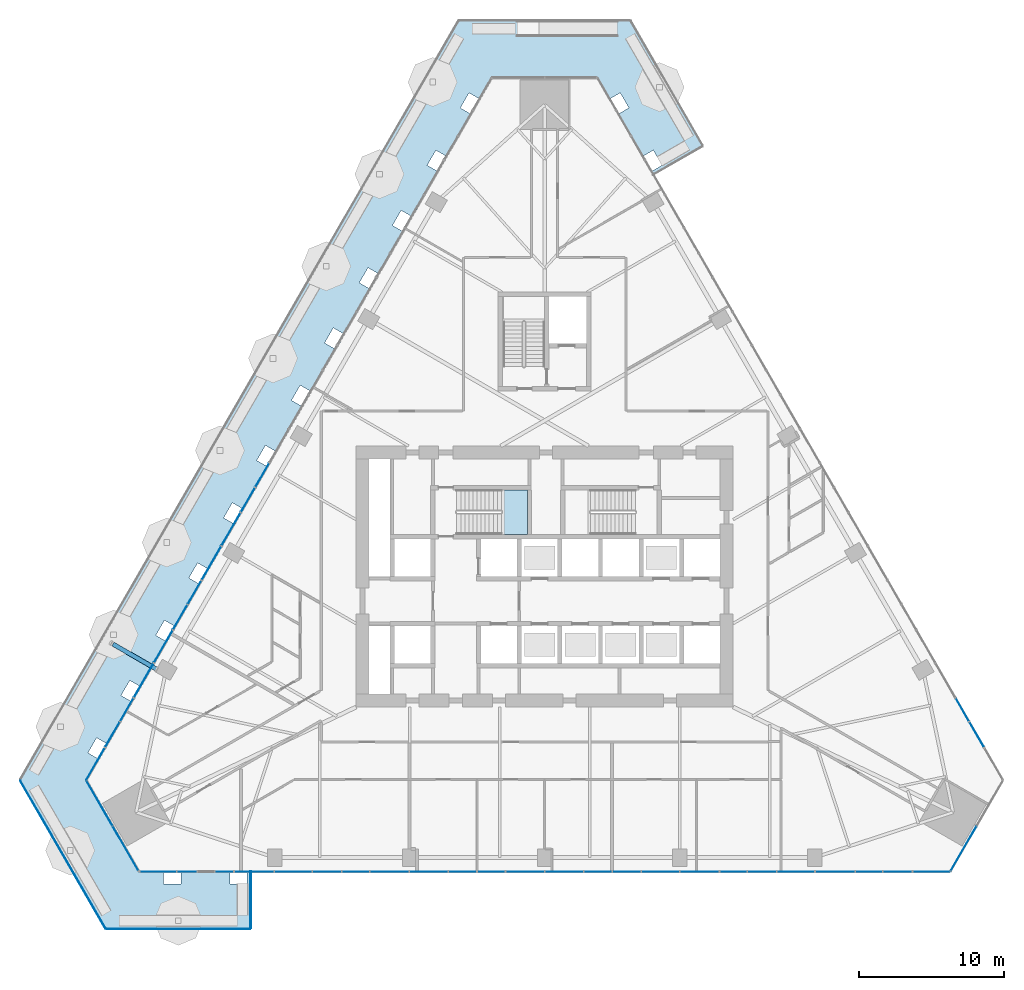
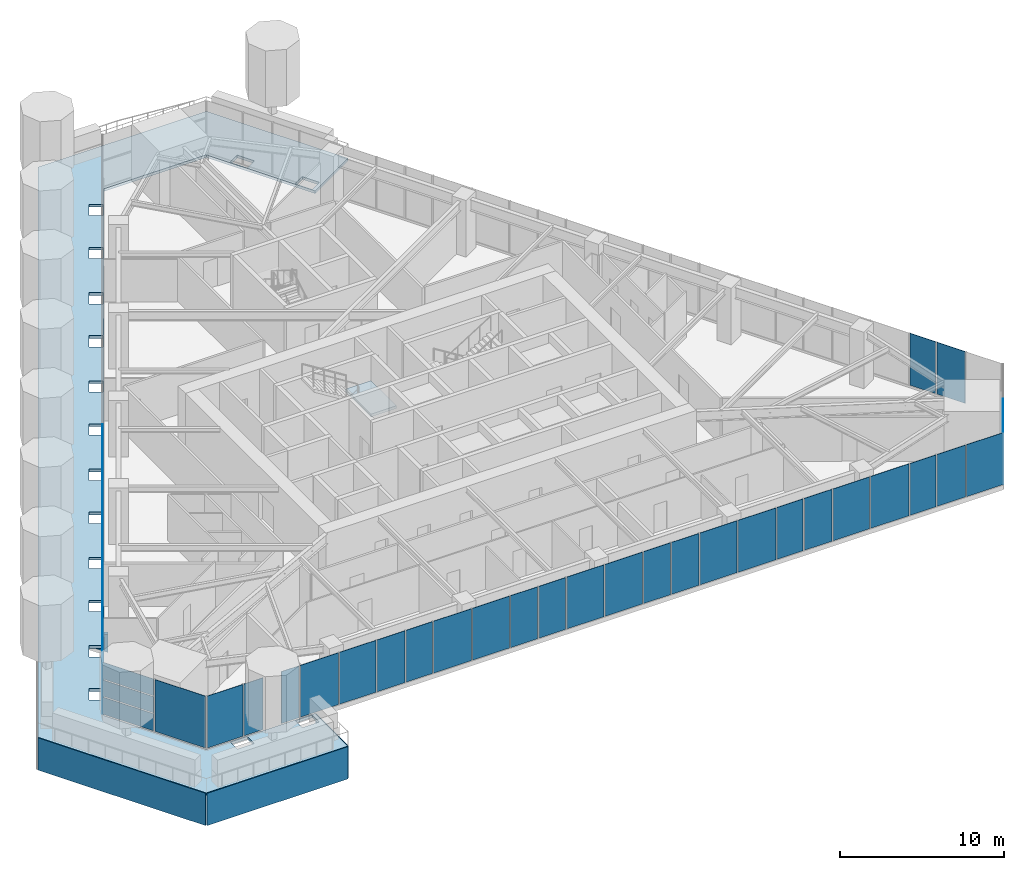
# One storey, part 14 of 25: 47 plates, 2 slabs, 6 elements without a shape of their own.
"""IFC4 building model written with IfcOpenShell, lengths in metres."""

from ifc_helpers import new_model, si_unit, direction, frame, origin, place, context, subcontext, project, spatial, polyline, outline, extrude, material, layer, layer_set, type_object, element, aggregate, save


model = new_model("IFC4")

# Units and contexts
model_context = context("Model", 3, precision=1e-05, world=origin(), true_north=direction((0.0, 1.0)))
body_context = subcontext(model_context, "Body", "Model", "MODEL_VIEW")
ifc_project = project(units=[si_unit("LENGTHUNIT", "METRE"), si_unit("AREAUNIT", "SQUARE_METRE"), si_unit("VOLUMEUNIT", "CUBIC_METRE"), si_unit("PLANEANGLEUNIT", "RADIAN"), si_unit("MASSUNIT", "GRAM", prefix="KILO")], contexts=[model_context])

# Site, building, storey
site_placement = place(None, origin())
site = spatial("IfcSite", under=ifc_project, at=site_placement, CompositionType="ELEMENT")
building_placement = place(site_placement, origin())
building = spatial("IfcBuilding", under=site, at=building_placement, Name="Firuza Gate Tower and Library", CompositionType="ELEMENT")
storey_placement = place(building_placement, frame((0.0, 0.0, 119.800048828125)))
storey = spatial("IfcBuildingStorey", under=building, at=storey_placement, Name="L27", CompositionType="ELEMENT", Elevation=119.800048828125)

# Curtain wall, plate
ifc_material_1 = material(Name="Aluminium 6063-T6", Category="aluminium")
ifc_layer_1 = layer(ifc_material_1, 0.14990234375)
ifc_layer_set_1 = layer_set([ifc_layer_1], Name="Corner curtain wall, chamfers")
curtain_wall_type_1 = type_object("IfcCurtainWallType", Name="Corner curtain wall, chamfers", PredefinedType="NOTDEFINED", material=ifc_layer_set_1)
placement = place(storey_placement, origin())
curtain_wall_1 = element("IfcCurtainWall", 1, at=placement, inside=storey, type_object=curtain_wall_type_1, Name="CW4 L27 SE corner", PredefinedType="NOTDEFINED")
ifc_material_2 = material(Name="Fritted glass", Category="glass")
ifc_layer_2 = layer(ifc_material_2, 0.030029296875)
ifc_layer_set_2 = layer_set([ifc_layer_2], Name="Fritted glass unit, corners")
plate_type_1 = type_object("IfcPlateType", Name="Fritted glass unit, corners", PredefinedType="CURTAIN_PANEL", material=ifc_layer_set_2)
plate_1_placement = place(storey_placement, frame((102.991455078125, 54.678466796875, 0.14990234375), z_axis=(0.866016723041, -0.500015035186, 0.0), x_axis=(0.500015035186, 0.866016723041, 0.0)))
plate_1 = element("IfcPlate", 2, at=plate_1_placement, type_object=plate_type_1, Name="Glass unit", PredefinedType="CURTAIN_PANEL", context=body_context, shape_type="SweptSolid", body=[
    extrude(outline(polyline([(0.0, 0.0), (3.5633694106530625, 0.0), (3.5633694106530625, 1.885009765625), (0.0, 1.885009765625), (0.0, 0.0)])), origin(), (0.0, 0.0, -1.0), 0.030029296875),
])

# Curtain wall, plates
curtain_wall_2 = element("IfcCurtainWall", 3, at=placement, inside=storey, type_object=curtain_wall_type_1, Name="CW4 L27 SW corner", PredefinedType="NOTDEFINED")
plate_2_placement = place(storey_placement, frame((43.4052734375, 60.91943359375, 0.14990234375), z_axis=(-0.866046390552, -0.49996364809, 0.0), x_axis=(0.49996364809, -0.866046390552, 0.0)))
plate_2 = element("IfcPlate", 4, at=plate_2_placement, type_object=plate_type_1, Name="Glass unit", PredefinedType="CURTAIN_PANEL", context=body_context, shape_type="SweptSolid", body=[
    extrude(outline(polyline([(0.0, 0.0), (3.563247342942594, 0.0), (3.563247342942594, 1.260009765625), (0.0, 1.260009765625), (0.0, 0.0)])), origin(), (0.0, 0.0, -1.0), 0.030029296875),
])
plate_3_placement = place(storey_placement, frame((43.4052734375, 60.91943359375, 1.489990234375), z_axis=(-0.866046390552, -0.49996364809, 0.0), x_axis=(0.49996364809, -0.866046390552, 0.0)))
plate_3 = element("IfcPlate", 5, at=plate_3_placement, type_object=plate_type_1, Name="Glass unit", PredefinedType="CURTAIN_PANEL", context=body_context, shape_type="SweptSolid", body=[
    extrude(outline(polyline([(0.0, 0.0), (3.563247342942594, 0.0), (3.563247342942594, 1.195068359375), (0.0, 1.195068359375), (0.0, 0.0)])), origin(), (0.0, 0.0, -1.0), 0.030029296875),
])

ifc_material_3 = material(Name="Aluminium 6063-T6", Category="aluminium")
ifc_layer_3 = layer(ifc_material_3, 0.14990234375)
ifc_layer_set_3 = layer_set([ifc_layer_3], Name="Unitised curtain wall, offices")
curtain_wall_type_2 = type_object("IfcCurtainWallType", Name="Unitised curtain wall, offices", PredefinedType="NOTDEFINED", material=ifc_layer_set_3)
curtain_wall_3 = element("IfcCurtainWall", 6, at=placement, inside=storey, type_object=curtain_wall_type_2, Name="CW1 L27 S face", PredefinedType="NOTDEFINED")
ifc_material_4 = material(Name="Fritted glass", Category="glass")
ifc_layer_4 = layer(ifc_material_4, 0.030029296875)
ifc_layer_set_4 = layer_set([ifc_layer_4], Name="Fritted glass unit, offices")
plate_type_2 = type_object("IfcPlateType", Name="Fritted glass unit, offices", PredefinedType="CURTAIN_PANEL", material=ifc_layer_set_4)
plate_4_placement = place(storey_placement, frame((49.677978515625, 54.63623046875, 0.14990234375), z_axis=(0.0, -1.0, 0.0), x_axis=(1.0, 0.0, 0.0)))
plate_4 = element("IfcPlate", 7, at=plate_4_placement, type_object=plate_type_2, Name="Glass unit", PredefinedType="CURTAIN_PANEL", context=body_context, shape_type="SweptSolid", body=[
    extrude(outline(polyline([(0.0, 0.0), (1.343505859375, 0.0), (1.343505859375, 3.85009765625), (0.0, 3.85009765625), (0.0, 0.0)])), origin(), (0.0, 0.0, -1.0), 0.030029296875),
])
plate_5_placement = place(storey_placement, frame((52.301513671875, 54.63623046875, 0.14990234375), z_axis=(0.0, -1.0, 0.0), x_axis=(1.0, 0.0, 0.0)))
plate_5 = element("IfcPlate", 8, at=plate_5_placement, type_object=plate_type_2, Name="Glass unit", PredefinedType="CURTAIN_PANEL", context=body_context, shape_type="SweptSolid", body=[
    extrude(outline(polyline([(0.0, 0.0), (1.24951171875, 0.0), (1.24951171875, 3.85009765625), (0.0, 3.85009765625), (0.0, 0.0)])), origin(), (0.0, 0.0, -1.0), 0.030029296875),
])
plate_6_placement = place(storey_placement, frame((59.0322265625, 54.63623046875, 0.14990234375), z_axis=(0.0, -1.0, 0.0), x_axis=(1.0, 0.0, 0.0)))
plate_6 = element("IfcPlate", 9, at=plate_6_placement, type_object=plate_type_2, Name="Glass unit", PredefinedType="CURTAIN_PANEL", context=body_context, shape_type="SweptSolid", body=[
    extrude(outline(polyline([(0.0, 0.0), (1.948486328125, 0.0), (1.948486328125, 3.85009765625), (0.0, 3.85009765625), (0.0, 0.0)])), origin(), (0.0, 0.0, -1.0), 0.030029296875),
])
plate_7_placement = place(storey_placement, frame((61.060791015625, 54.63623046875, 0.14990234375), z_axis=(0.0, -1.0, 0.0), x_axis=(1.0, 0.0, 0.0)))
plate_7 = element("IfcPlate", 10, at=plate_7_placement, type_object=plate_type_2, Name="Glass unit", PredefinedType="CURTAIN_PANEL", context=body_context, shape_type="SweptSolid", body=[
    extrude(outline(polyline([(0.0, 0.0), (1.844482421875, 0.0), (1.844482421875, 3.85009765625), (0.0, 3.85009765625), (0.0, 0.0)])), origin(), (0.0, 0.0, -1.0), 0.030029296875),
])
plate_8_placement = place(storey_placement, frame((68.386474609375, 54.63623046875, 0.14990234375), z_axis=(0.0, -1.0, 0.0), x_axis=(1.0, 0.0, 0.0)))
plate_8 = element("IfcPlate", 11, at=plate_8_placement, type_object=plate_type_2, Name="Glass unit", PredefinedType="CURTAIN_PANEL", context=body_context, shape_type="SweptSolid", body=[
    extrude(outline(polyline([(0.0, 0.0), (1.913818359375, 0.0), (1.913818359375, 3.85009765625), (0.0, 3.85009765625), (0.0, 0.0)])), origin(), (0.0, 0.0, -1.0), 0.030029296875),
])
plate_9_placement = place(storey_placement, frame((70.38037109375, 54.63623046875, 0.14990234375), z_axis=(0.0, -1.0, 0.0), x_axis=(1.0, 0.0, 0.0)))
plate_9 = element("IfcPlate", 12, at=plate_9_placement, type_object=plate_type_2, Name="Glass unit", PredefinedType="CURTAIN_PANEL", context=body_context, shape_type="SweptSolid", body=[
    extrude(outline(polyline([(0.0, 0.0), (1.87890625, 0.0), (1.87890625, 3.85009765625), (0.0, 3.85009765625), (0.0, 0.0)])), origin(), (0.0, 0.0, -1.0), 0.030029296875),
])
plate_10_placement = place(storey_placement, frame((77.74072265625, 54.63623046875, 0.14990234375), z_axis=(0.0, -1.0, 0.0), x_axis=(1.0, 0.0, 0.0)))
plate_10 = element("IfcPlate", 13, at=plate_10_placement, type_object=plate_type_2, Name="Glass unit", PredefinedType="CURTAIN_PANEL", context=body_context, shape_type="SweptSolid", body=[
    extrude(outline(polyline([(0.0, 0.0), (1.87890625, 0.0), (1.87890625, 3.85009765625), (0.0, 3.85009765625), (0.0, 0.0)])), origin(), (0.0, 0.0, -1.0), 0.030029296875),
])
plate_11_placement = place(storey_placement, frame((79.69970703125, 54.63623046875, 0.14990234375), z_axis=(0.0, -1.0, 0.0), x_axis=(1.0, 0.0, 0.0)))
plate_11 = element("IfcPlate", 14, at=plate_11_placement, type_object=plate_type_2, Name="Glass unit", PredefinedType="CURTAIN_PANEL", context=body_context, shape_type="SweptSolid", body=[
    extrude(outline(polyline([(0.0, 0.0), (1.913818359375, 0.0), (1.913818359375, 3.85009765625), (0.0, 3.85009765625), (0.0, 0.0)])), origin(), (0.0, 0.0, -1.0), 0.030029296875),
])
plate_12_placement = place(storey_placement, frame((87.0947265625, 54.63623046875, 0.14990234375), z_axis=(0.0, -1.0, 0.0), x_axis=(1.0, 0.0, 0.0)))
plate_12 = element("IfcPlate", 15, at=plate_12_placement, type_object=plate_type_2, Name="Glass unit", PredefinedType="CURTAIN_PANEL", context=body_context, shape_type="SweptSolid", body=[
    extrude(outline(polyline([(0.0, 0.0), (1.844482421875, 0.0), (1.844482421875, 3.85009765625), (0.0, 3.85009765625), (0.0, 0.0)])), origin(), (0.0, 0.0, -1.0), 0.030029296875),
])
plate_13_placement = place(storey_placement, frame((89.019287109375, 54.63623046875, 0.14990234375), z_axis=(0.0, -1.0, 0.0), x_axis=(1.0, 0.0, 0.0)))
plate_13 = element("IfcPlate", 16, at=plate_13_placement, type_object=plate_type_2, Name="Glass unit", PredefinedType="CURTAIN_PANEL", context=body_context, shape_type="SweptSolid", body=[
    extrude(outline(polyline([(0.0, 0.0), (1.948486328125, 0.0), (1.948486328125, 3.85009765625), (0.0, 3.85009765625), (0.0, 0.0)])), origin(), (0.0, 0.0, -1.0), 0.030029296875),
])
plate_14_placement = place(storey_placement, frame((96.448974609375, 54.63623046875, 0.14990234375), z_axis=(0.0, -1.0, 0.0), x_axis=(1.0, 0.0, 0.0)))
plate_14 = element("IfcPlate", 17, at=plate_14_placement, type_object=plate_type_2, Name="Glass unit", PredefinedType="CURTAIN_PANEL", context=body_context, shape_type="SweptSolid", body=[
    extrude(outline(polyline([(0.0, 0.0), (1.809814453125, 0.0), (1.809814453125, 3.85009765625), (0.0, 3.85009765625), (0.0, 0.0)])), origin(), (0.0, 0.0, -1.0), 0.030029296875),
])
plate_15_placement = place(storey_placement, frame((98.338623046875, 54.63623046875, 0.14990234375), z_axis=(0.0, -1.0, 0.0), x_axis=(1.0, 0.0, 0.0)))
plate_15 = element("IfcPlate", 18, at=plate_15_placement, type_object=plate_type_2, Name="Glass unit", PredefinedType="CURTAIN_PANEL", context=body_context, shape_type="SweptSolid", body=[
    extrude(outline(polyline([(0.0, 0.0), (1.9833984375, 0.0), (1.9833984375, 3.85009765625), (0.0, 3.85009765625), (0.0, 0.0)])), origin(), (0.0, 0.0, -1.0), 0.030029296875),
])

curtain_wall_4 = element("IfcCurtainWall", 19, at=placement, inside=storey, type_object=curtain_wall_type_2, Name="CW1 L27 E face", PredefinedType="NOTDEFINED")
plate_16_placement = place(storey_placement, frame((105.296630859375, 63.25244140625, 0.14990234375), z_axis=(0.866007234284, 0.500031469177, 0.0), x_axis=(-0.500031469177, 0.866007234284, 0.0)))
plate_16 = element("IfcPlate", 20, at=plate_16_placement, type_object=plate_type_2, Name="Glass unit", PredefinedType="CURTAIN_PANEL", context=body_context, shape_type="SweptSolid", body=[
    extrude(outline(polyline([(0.0, 0.0), (1.9832736135221718, 0.0), (1.9832736135221718, 3.850097656250001), (0.0, 3.850097656250001), (0.0, 0.0)])), origin(), (0.0, 0.0, -1.0), 0.030029296875),
])
plate_17_placement = place(storey_placement, frame((104.264892578125, 65.039306640625, 0.14990234375), z_axis=(0.866026068486, 0.499998848701, 0.0), x_axis=(-0.499998848701, 0.866026068486, 0.0)))
plate_17 = element("IfcPlate", 21, at=plate_17_placement, type_object=plate_type_2, Name="Glass unit", PredefinedType="CURTAIN_PANEL", context=body_context, shape_type="SweptSolid", body=[
    extrude(outline(polyline([(0.0, 0.0), (1.8095744792233548, 0.0), (1.8095744792233548, 3.85009765625), (0.0, 3.85009765625), (0.0, 0.0)])), origin(), (0.0, 0.0, -1.0), 0.030029296875),
])
aggregate(curtain_wall_4, [plate_16, plate_17])

curtain_wall_5 = element("IfcCurtainWall", 22, at=placement, inside=storey, type_object=curtain_wall_type_2, Name="CW1 L27 W face", PredefinedType="NOTDEFINED")
plate_18_placement = place(storey_placement, frame((55.994140625, 82.808349609375, 0.14990234375), z_axis=(-0.866027628696, 0.49999614632, 0.0), x_axis=(-0.49999614632, -0.866027628696, 0.0)))
plate_18 = element("IfcPlate", 23, at=plate_18_placement, type_object=plate_type_2, Name="Glass unit", PredefinedType="CURTAIN_PANEL", context=body_context, shape_type="SweptSolid", body=[
    extrude(outline(polyline([(0.0, 0.0), (1.8789207315184273, 0.0), (1.8789207315184273, 3.85009765625), (0.0, 3.85009765625), (0.0, 0.0)])), origin(), (0.0, 0.0, -1.0), 0.030029296875),
])
plate_19_placement = place(storey_placement, frame((55.0146484375, 81.11181640625, 0.14990234375), z_axis=(-0.866005020067, 0.500035303972, 0.0), x_axis=(-0.500035303972, -0.866005020067, 0.0)))
plate_19 = element("IfcPlate", 24, at=plate_19_placement, type_object=plate_type_2, Name="Glass unit", PredefinedType="CURTAIN_PANEL", context=body_context, shape_type="SweptSolid", body=[
    extrude(outline(polyline([(0.0, 0.0), (1.9139273615250514, 0.0), (1.9139273615250514, 3.85009765625), (0.0, 3.85009765625), (0.0, 0.0)])), origin(), (0.0, 0.0, -1.0), 0.030029296875),
])
plate_20_placement = place(storey_placement, frame((51.317138671875, 74.70751953125, 0.14990234375), z_axis=(-0.866002639347, 0.50003942709, 0.0), x_axis=(-0.50003942709, -0.866002639347, 0.0)))
plate_20 = element("IfcPlate", 25, at=plate_20_placement, type_object=plate_type_2, Name="Glass unit", PredefinedType="CURTAIN_PANEL", context=body_context, shape_type="SweptSolid", body=[
    extrude(outline(polyline([(0.0, 0.0), (1.8445811095682818, 0.0), (1.8445811095682818, 3.85009765625), (0.0, 3.85009765625), (0.0, 0.0)])), origin(), (0.0, 0.0, -1.0), 0.030029296875),
])
plate_21_placement = place(storey_placement, frame((50.354736328125, 73.040771484375, 0.14990234375), z_axis=(-0.866060399857, 0.499939380126, 0.0), x_axis=(-0.499939380126, -0.866060399857, 0.0)))
plate_21 = element("IfcPlate", 26, at=plate_21_placement, type_object=plate_type_2, Name="Glass unit", PredefinedType="CURTAIN_PANEL", context=body_context, shape_type="SweptSolid", body=[
    extrude(outline(polyline([(0.0, 0.0), (1.9484784205345196, 0.0), (1.9484784205345196, 3.85009765625), (0.0, 3.85009765625), (0.0, 0.0)])), origin(), (0.0, 0.0, -1.0), 0.030029296875),
])
plate_22_placement = place(storey_placement, frame((46.639892578125, 66.6064453125, 0.14990234375), z_axis=(-0.866026068486, 0.499998848701, 0.0), x_axis=(-0.499998848701, -0.866026068486, 0.0)))
plate_22 = element("IfcPlate", 27, at=plate_22_placement, type_object=plate_type_2, Name="Glass unit", PredefinedType="CURTAIN_PANEL", context=body_context, shape_type="SweptSolid", body=[
    extrude(outline(polyline([(0.0, 0.0), (1.8095744792233548, 0.0), (1.8095744792233548, 3.85009765625), (0.0, 3.85009765625), (0.0, 0.0)])), origin(), (0.0, 0.0, -1.0), 0.030029296875),
])
plate_23_placement = place(storey_placement, frame((45.695068359375, 64.969970703125, 0.14990234375), z_axis=(-0.866007234284, 0.500031469177, 0.0), x_axis=(-0.500031469177, -0.866007234284, 0.0)))
plate_23 = element("IfcPlate", 28, at=plate_23_placement, type_object=plate_type_2, Name="Glass unit", PredefinedType="CURTAIN_PANEL", context=body_context, shape_type="SweptSolid", body=[
    extrude(outline(polyline([(0.0, 0.0), (1.9832736135221718, 0.0), (1.9832736135221718, 3.850097656250001), (0.0, 3.850097656250001), (0.0, 0.0)])), origin(), (0.0, 0.0, -1.0), 0.030029296875),
])

# Plate
ifc_material_5 = material(Name="Glazed ceramic tile")
ifc_layer_5 = layer(ifc_material_5, 0.030029296875)
ifc_layer_set_5 = layer_set([ifc_layer_5], Name="Opaque ceramic panel, corners")
plate_type_3 = type_object("IfcPlateType", Name="Opaque ceramic panel, corners", PredefinedType="CURTAIN_PANEL", material=ifc_layer_set_5)
plate_24_placement = place(storey_placement, frame((102.991455078125, 54.678466796875, 2.114990234375), z_axis=(0.866016723041, -0.500015035186, 0.0), x_axis=(0.500015035186, 0.866016723041, 0.0)))
plate_24 = element("IfcPlate", 29, at=plate_24_placement, type_object=plate_type_3, Name="Opaque ceramic panel", PredefinedType="CURTAIN_PANEL", context=body_context, shape_type="SweptSolid", body=[
    extrude(outline(polyline([(0.0, 0.0), (3.5633694106530625, 0.0), (3.5633694106530625, 1.885009765625), (0.0, 1.885009765625), (0.0, 0.0)])), origin(), (0.0, 0.0, -1.0), 0.030029296875),
])

aggregate(curtain_wall_1, [plate_1, plate_24])

plate_25_placement = place(storey_placement, frame((43.4052734375, 60.91943359375, 2.764892578125), z_axis=(-0.866046390552, -0.49996364809, 0.0), x_axis=(0.49996364809, -0.866046390552, 0.0)))
plate_25 = element("IfcPlate", 30, at=plate_25_placement, type_object=plate_type_3, Name="Opaque ceramic panel", PredefinedType="CURTAIN_PANEL", context=body_context, shape_type="SweptSolid", body=[
    extrude(outline(polyline([(0.0, 0.0), (3.563247342942594, 0.0), (3.563247342942594, 1.235107421875), (0.0, 1.235107421875), (0.0, 0.0)])), origin(), (0.0, 0.0, -1.0), 0.030029296875),
])

plate_26_placement = place(storey_placement, frame((45.226806640625, 57.764404296875, 0.14990234375), z_axis=(-0.866016723041, -0.500015035186, 0.0), x_axis=(0.500015035186, -0.866016723041, 0.0)))
plate_26 = element("IfcPlate", 31, at=plate_26_placement, type_object=plate_type_3, Name="Opaque ceramic panel", PredefinedType="CURTAIN_PANEL", context=body_context, shape_type="SweptSolid", body=[
    extrude(outline(polyline([(0.0, 0.0), (3.5633694106530625, 0.0), (3.5633694106530625, 3.85009765625), (0.0, 3.85009765625), (0.0, 0.0)])), origin(), (0.0, 0.0, -1.0), 0.030029296875),
])

aggregate(curtain_wall_2, [plate_2, plate_3, plate_25, plate_26])

ifc_material_6 = material(Name="Glazed ceramic tile")
ifc_layer_6 = layer(ifc_material_6, 0.030029296875)
ifc_layer_set_6 = layer_set([ifc_layer_6], Name="Opaque ceramic panel, offices")
plate_type_4 = type_object("IfcPlateType", Name="Opaque ceramic panel, offices", PredefinedType="CURTAIN_PANEL", material=ifc_layer_set_6)
plate_27_placement = place(storey_placement, frame((47.08154296875, 54.63623046875, 0.14990234375), z_axis=(0.0, -1.0, 0.0), x_axis=(1.0, 0.0, 0.0)))
plate_27 = element("IfcPlate", 32, at=plate_27_placement, type_object=plate_type_4, Name="Opaque ceramic panel", PredefinedType="CURTAIN_PANEL", context=body_context, shape_type="SweptSolid", body=[
    extrude(outline(polyline([(0.0, 0.0), (2.516357421875, 0.0), (2.516357421875, 3.85009765625), (0.0, 3.85009765625), (0.0, 0.0)])), origin(), (0.0, 0.0, -1.0), 0.030029296875),
])

plate_28_placement = place(storey_placement, frame((53.630859375, 54.63623046875, 0.14990234375), z_axis=(0.0, -1.0, 0.0), x_axis=(1.0, 0.0, 0.0)))
plate_28 = element("IfcPlate", 33, at=plate_28_placement, type_object=plate_type_4, Name="Opaque ceramic panel", PredefinedType="CURTAIN_PANEL", context=body_context, shape_type="SweptSolid", body=[
    extrude(outline(polyline([(0.0, 0.0), (2.690185546875, 0.0), (2.690185546875, 3.85009765625), (0.0, 3.85009765625), (0.0, 0.0)])), origin(), (0.0, 0.0, -1.0), 0.030029296875),
])

plate_29_placement = place(storey_placement, frame((56.401123046875, 54.63623046875, 0.14990234375), z_axis=(0.0, -1.0, 0.0), x_axis=(1.0, 0.0, 0.0)))
plate_29 = element("IfcPlate", 34, at=plate_29_placement, type_object=plate_type_4, Name="Opaque ceramic panel", PredefinedType="CURTAIN_PANEL", context=body_context, shape_type="SweptSolid", body=[
    extrude(outline(polyline([(0.0, 0.0), (2.551025390625, 0.0), (2.551025390625, 3.85009765625), (0.0, 3.85009765625), (0.0, 0.0)])), origin(), (0.0, 0.0, -1.0), 0.030029296875),
])

plate_30_placement = place(storey_placement, frame((62.985107421875, 54.63623046875, 0.14990234375), z_axis=(0.0, -1.0, 0.0), x_axis=(1.0, 0.0, 0.0)))
plate_30 = element("IfcPlate", 35, at=plate_30_placement, type_object=plate_type_4, Name="Opaque ceramic panel", PredefinedType="CURTAIN_PANEL", context=body_context, shape_type="SweptSolid", body=[
    extrude(outline(polyline([(0.0, 0.0), (2.655517578125, 0.0), (2.655517578125, 3.85009765625), (0.0, 3.85009765625), (0.0, 0.0)])), origin(), (0.0, 0.0, -1.0), 0.030029296875),
])

plate_31_placement = place(storey_placement, frame((65.720458984375, 54.63623046875, 0.14990234375), z_axis=(0.0, -1.0, 0.0), x_axis=(1.0, 0.0, 0.0)))
plate_31 = element("IfcPlate", 36, at=plate_31_placement, type_object=plate_type_4, Name="Opaque ceramic panel", PredefinedType="CURTAIN_PANEL", context=body_context, shape_type="SweptSolid", body=[
    extrude(outline(polyline([(0.0, 0.0), (2.5859375, 0.0), (2.5859375, 3.85009765625), (0.0, 3.85009765625), (0.0, 0.0)])), origin(), (0.0, 0.0, -1.0), 0.030029296875),
])

plate_32_placement = place(storey_placement, frame((72.33935546875, 54.63623046875, 0.14990234375), z_axis=(0.0, -1.0, 0.0), x_axis=(1.0, 0.0, 0.0)))
plate_32 = element("IfcPlate", 37, at=plate_32_placement, type_object=plate_type_4, Name="Opaque ceramic panel", PredefinedType="CURTAIN_PANEL", context=body_context, shape_type="SweptSolid", body=[
    extrude(outline(polyline([(0.0, 0.0), (2.62060546875, 0.0), (2.62060546875, 3.85009765625), (0.0, 3.85009765625), (0.0, 0.0)])), origin(), (0.0, 0.0, -1.0), 0.030029296875),
])

plate_33_placement = place(storey_placement, frame((75.0400390625, 54.63623046875, 0.14990234375), z_axis=(0.0, -1.0, 0.0), x_axis=(1.0, 0.0, 0.0)))
plate_33 = element("IfcPlate", 38, at=plate_33_placement, type_object=plate_type_4, Name="Opaque ceramic panel", PredefinedType="CURTAIN_PANEL", context=body_context, shape_type="SweptSolid", body=[
    extrude(outline(polyline([(0.0, 0.0), (2.62060546875, 0.0), (2.62060546875, 3.85009765625), (0.0, 3.85009765625), (0.0, 0.0)])), origin(), (0.0, 0.0, -1.0), 0.030029296875),
])

plate_34_placement = place(storey_placement, frame((81.693603515625, 54.63623046875, 0.14990234375), z_axis=(0.0, -1.0, 0.0), x_axis=(1.0, 0.0, 0.0)))
plate_34 = element("IfcPlate", 39, at=plate_34_placement, type_object=plate_type_4, Name="Opaque ceramic panel", PredefinedType="CURTAIN_PANEL", context=body_context, shape_type="SweptSolid", body=[
    extrude(outline(polyline([(0.0, 0.0), (2.5859375, 0.0), (2.5859375, 3.85009765625), (0.0, 3.85009765625), (0.0, 0.0)])), origin(), (0.0, 0.0, -1.0), 0.030029296875),
])

plate_35_placement = place(storey_placement, frame((84.359375, 54.63623046875, 0.14990234375), z_axis=(0.0, -1.0, 0.0), x_axis=(1.0, 0.0, 0.0)))
plate_35 = element("IfcPlate", 40, at=plate_35_placement, type_object=plate_type_4, Name="Opaque ceramic panel", PredefinedType="CURTAIN_PANEL", context=body_context, shape_type="SweptSolid", body=[
    extrude(outline(polyline([(0.0, 0.0), (2.655517578125, 0.0), (2.655517578125, 3.85009765625), (0.0, 3.85009765625), (0.0, 0.0)])), origin(), (0.0, 0.0, -1.0), 0.030029296875),
])

plate_36_placement = place(storey_placement, frame((91.0478515625, 54.63623046875, 0.14990234375), z_axis=(0.0, -1.0, 0.0), x_axis=(1.0, 0.0, 0.0)))
plate_36 = element("IfcPlate", 41, at=plate_36_placement, type_object=plate_type_4, Name="Opaque ceramic panel", PredefinedType="CURTAIN_PANEL", context=body_context, shape_type="SweptSolid", body=[
    extrude(outline(polyline([(0.0, 0.0), (2.551025390625, 0.0), (2.551025390625, 3.85009765625), (0.0, 3.85009765625), (0.0, 0.0)])), origin(), (0.0, 0.0, -1.0), 0.030029296875),
])

plate_37_placement = place(storey_placement, frame((93.678955078125, 54.63623046875, 0.14990234375), z_axis=(0.0, -1.0, 0.0), x_axis=(1.0, 0.0, 0.0)))
plate_37 = element("IfcPlate", 42, at=plate_37_placement, type_object=plate_type_4, Name="Opaque ceramic panel", PredefinedType="CURTAIN_PANEL", context=body_context, shape_type="SweptSolid", body=[
    extrude(outline(polyline([(0.0, 0.0), (2.690185546875, 0.0), (2.690185546875, 3.85009765625), (0.0, 3.85009765625), (0.0, 0.0)])), origin(), (0.0, 0.0, -1.0), 0.030029296875),
])

plate_38_placement = place(storey_placement, frame((100.402099609375, 54.63623046875, 0.14990234375), z_axis=(0.0, -1.0, 0.0), x_axis=(1.0, 0.0, 0.0)))
plate_38 = element("IfcPlate", 43, at=plate_38_placement, type_object=plate_type_4, Name="Opaque ceramic panel", PredefinedType="CURTAIN_PANEL", context=body_context, shape_type="SweptSolid", body=[
    extrude(outline(polyline([(0.0, 0.0), (2.516357421875, 0.0), (2.516357421875, 3.85009765625), (0.0, 3.85009765625), (0.0, 0.0)])), origin(), (0.0, 0.0, -1.0), 0.030029296875),
])

aggregate(curtain_wall_3, [plate_27, plate_4, plate_5, plate_28, plate_29, plate_6, plate_7, plate_30, plate_31, plate_8, plate_9, plate_32, plate_33, plate_10, plate_11, plate_34, plate_35, plate_12, plate_13, plate_36, plate_37, plate_14, plate_15, plate_38])

plate_39_placement = place(storey_placement, frame((54.017578125, 79.385009765625, 0.14990234375), z_axis=(-0.86602679452, 0.499997591167, 0.0), x_axis=(-0.499997591167, -0.86602679452, 0.0)))
plate_39 = element("IfcPlate", 44, at=plate_39_placement, type_object=plate_type_4, Name="Opaque ceramic panel", PredefinedType="CURTAIN_PANEL", context=body_context, shape_type="SweptSolid", body=[
    extrude(outline(polyline([(0.0, 0.0), (2.5859499582411205, 0.0), (2.5859499582411205, 3.85009765625), (0.0, 3.85009765625), (0.0, 0.0)])), origin(), (0.0, 0.0, -1.0), 0.030029296875),
])

plate_40_placement = place(storey_placement, frame((52.684814453125, 77.076416015625, 0.14990234375), z_axis=(-0.866011053975, 0.500024853776, 0.0), x_axis=(-0.500024853776, -0.866011053975, 0.0)))
plate_40 = element("IfcPlate", 45, at=plate_40_placement, type_object=plate_type_4, Name="Opaque ceramic panel", PredefinedType="CURTAIN_PANEL", context=body_context, shape_type="SweptSolid", body=[
    extrude(outline(polyline([(0.0, 0.0), (2.655629713898657, 0.0), (2.655629713898657, 3.850097656250001), (0.0, 3.850097656250001), (0.0, 0.0)])), origin(), (0.0, 0.0, -1.0), 0.030029296875),
])

plate_41_placement = place(storey_placement, frame((49.340576171875, 71.2841796875, 0.14990234375), z_axis=(-0.866026229868, 0.499998569178, 0.0), x_axis=(-0.499998569178, -0.866026229868, 0.0)))
plate_41 = element("IfcPlate", 46, at=plate_41_placement, type_object=plate_type_4, Name="Opaque ceramic panel", PredefinedType="CURTAIN_PANEL", context=body_context, shape_type="SweptSolid", body=[
    extrude(outline(polyline([(0.0, 0.0), (2.5512768320955646, 0.0), (2.5512768320955646, 3.85009765625), (0.0, 3.85009765625), (0.0, 0.0)])), origin(), (0.0, 0.0, -1.0), 0.030029296875),
])

plate_42_placement = place(storey_placement, frame((48.02490234375, 69.00537109375, 0.14990234375), z_axis=(-0.866028401131, 0.499994808408, 0.0), x_axis=(-0.499994808408, -0.866028401131, 0.0)))
plate_42 = element("IfcPlate", 47, at=plate_42_placement, type_object=plate_type_4, Name="Opaque ceramic panel", PredefinedType="CURTAIN_PANEL", context=body_context, shape_type="SweptSolid", body=[
    extrude(outline(polyline([(0.0, 0.0), (2.6899693366965556, 0.0), (2.6899693366965556, 3.850097656250001), (0.0, 3.850097656250001), (0.0, 0.0)])), origin(), (0.0, 0.0, -1.0), 0.030029296875),
])

plate_43_placement = place(storey_placement, frame((44.66357421875, 63.18310546875, 0.14990234375), z_axis=(-0.866025649656, 0.499999574138, 0.0), x_axis=(-0.499999574138, -0.866025649656, 0.0)))
plate_43 = element("IfcPlate", 48, at=plate_43_placement, type_object=plate_type_4, Name="Opaque ceramic panel", PredefinedType="CURTAIN_PANEL", context=body_context, shape_type="SweptSolid", body=[
    extrude(outline(polyline([(0.0, 0.0), (2.516603705953352, 0.0), (2.516603705953352, 3.85009765625), (0.0, 3.85009765625), (0.0, 0.0)])), origin(), (0.0, 0.0, -1.0), 0.030029296875),
])

aggregate(curtain_wall_5, [plate_18, plate_19, plate_39, plate_40, plate_20, plate_21, plate_41, plate_42, plate_22, plate_23, plate_43])

# Slab
ifc_material_7 = material(Name="Concrete C40/50", Category="concrete")
ifc_layer_7 = layer(ifc_material_7, 0.199951171875)
ifc_layer_set_7 = layer_set([ifc_layer_7], Name="Planter tray slab 200 C40/50")
slab_type_1 = type_object("IfcSlabType", Name="Planter tray slab 200 C40/50", PredefinedType="FLOOR", material=ifc_layer_set_7)
slab_1_placement = place(storey_placement, frame((0.0, 0.0, -0.199951171875)))
element("IfcSlab", 49, at=slab_1_placement, inside=storey, type_object=slab_type_1, Name="Planter tray L27 band 3", PredefinedType="FLOOR", context=body_context, shape_type="SweptSolid", body=[
    extrude(outline(polyline([(82.420654296875, 102.694580078125), (85.884765625, 104.694580078125), (80.909423828125, 113.31201171875), (69.090576171875, 113.31201171875), (38.865966796875, 60.961669921875), (44.775390625, 50.726318359375), (54.726318359375, 50.726318359375), (54.726318359375, 54.726318359375), (47.084716796875, 54.726318359375), (43.48486328125, 60.961669921875), (71.39990234375, 109.31201171875), (78.60009765625, 109.31201171875), (82.420654296875, 102.694580078125)]), holes=[polyline([(53.29736328125, 53.816162109375), (53.29736328125, 54.666015625), (54.497314453125, 54.666015625), (54.497314453125, 53.816162109375), (53.29736328125, 53.816162109375)]), polyline([(48.731689453125, 53.816162109375), (48.731689453125, 54.666015625), (49.931640625, 54.666015625), (49.931640625, 53.816162109375), (48.731689453125, 53.816162109375)]), polyline([(44.1201171875, 63.882080078125), (44.856201171875, 63.45703125), (44.256103515625, 62.417724609375), (43.52001953125, 62.8427734375), (44.1201171875, 63.882080078125)]), polyline([(47.138916015625, 67.4111328125), (46.5390625, 66.371826171875), (45.802978515625, 66.796875), (46.40283203125, 67.836181640625), (47.138916015625, 67.4111328125)]), polyline([(49.533203125, 71.55810546875), (48.933349609375, 70.518798828125), (48.197021484375, 70.94384765625), (48.797119140625, 71.983154296875), (49.533203125, 71.55810546875)]), polyline([(51.080078125, 75.93701171875), (51.816162109375, 75.51220703125), (51.216064453125, 74.472900390625), (50.47998046875, 74.89794921875), (51.080078125, 75.93701171875)]), polyline([(53.47412109375, 80.083984375), (54.21044921875, 79.658935546875), (53.6103515625, 78.619873046875), (52.874267578125, 79.044921875), (53.47412109375, 80.083984375)]), polyline([(55.757080078125, 84.0380859375), (56.4931640625, 83.613037109375), (55.893310546875, 82.573974609375), (55.156982421875, 82.998779296875), (55.757080078125, 84.0380859375)]), polyline([(58.1513671875, 88.18505859375), (58.887451171875, 87.760009765625), (58.287353515625, 86.720703125), (57.55126953125, 87.145751953125), (58.1513671875, 88.18505859375)]), polyline([(60.43408203125, 92.13916015625), (61.17041015625, 91.714111328125), (60.5703125, 90.6748046875), (59.834228515625, 91.099853515625), (60.43408203125, 92.13916015625)]), polyline([(62.828369140625, 96.2861328125), (63.564453125, 95.861083984375), (62.964599609375, 94.82177734375), (62.228515625, 95.246826171875), (62.828369140625, 96.2861328125)]), polyline([(65.111328125, 100.239990234375), (65.847412109375, 99.815185546875), (65.247314453125, 98.77587890625), (64.51123046875, 99.200927734375), (65.111328125, 100.239990234375)]), polyline([(68.24169921875, 103.9619140625), (67.6416015625, 102.9228515625), (66.905517578125, 103.34765625), (67.505615234375, 104.386962890625), (68.24169921875, 103.9619140625)]), polyline([(70.5244140625, 107.916015625), (69.924560546875, 106.876708984375), (69.1884765625, 107.3017578125), (69.788330078125, 108.341064453125), (70.5244140625, 107.916015625)]), polyline([(82.3583984375, 102.9228515625), (81.75830078125, 103.9619140625), (82.494384765625, 104.386962890625), (83.094482421875, 103.34765625), (82.3583984375, 102.9228515625)]), polyline([(80.075439453125, 106.876708984375), (79.4755859375, 107.916015625), (80.211669921875, 108.341064453125), (80.8115234375, 107.3017578125), (80.075439453125, 106.876708984375)])]), origin(), (0.0, 0.0, 1.0), 0.199951171875),
])

# Stair, slab
ifc_material_8 = material(Name="Concrete C35/45", Category="concrete")
stair_type = type_object("IfcStairType", Name="Exit stair ST5", PredefinedType="HALF_TURN_STAIR", material=ifc_material_8)
stair = element("IfcStair", 50, at=placement, inside=storey, type_object=stair_type, Name="L27 Stair ST1", PredefinedType="HALF_TURN_STAIR")
ifc_material_9 = material(Name="Concrete C35/45", Category="concrete")
ifc_layer_8 = layer(ifc_material_9, 0.199951171875)
ifc_layer_set_8 = layer_set([ifc_layer_8], Name="Stair landing 200")
slab_type_2 = type_object("IfcSlabType", Name="Stair landing 200", PredefinedType="LANDING", material=ifc_layer_set_8)
slab_2_placement = place(storey_placement, frame((0.0, 0.0, 1.89990234375)))
slab_2 = element("IfcSlab", 51, at=slab_2_placement, type_object=slab_type_2, Name="ST1 landing 1", PredefinedType="LANDING", context=body_context, shape_type="SweptSolid", body=[
    extrude(outline(polyline([(72.02001953125, 77.89990234375), (73.81005859375, 77.89990234375), (73.81005859375, 80.97998046875), (72.02001953125, 80.97998046875), (72.02001953125, 77.89990234375)])), origin(), (0.0, 0.0, 1.0), 0.199951171875),
])
aggregate(stair, [slab_2])

# Plates
ifc_material_10 = material(Name="Steel S355", Category="steel")
ifc_layer_9 = layer(ifc_material_10, 0.300048828125)
ifc_layer_set_9 = layer_set([ifc_layer_9], Name="Tray bracket web 300 Steel S355")
plate_type_5 = type_object("IfcPlateType", Name="Tray bracket web 300 Steel S355", PredefinedType="SHEET", material=ifc_layer_set_9)
plate_44_placement = place(storey_placement, frame((48.14208984375, 68.498046875, -0.199951171875), z_axis=(-0.500028509433, -0.86600894323, 0.0), x_axis=(-0.86600894323, 0.500028509433, 0.0)))
element("IfcPlate", 52, at=plate_44_placement, inside=storey, type_object=plate_type_5, Name="Tray bracket web L27 col:L26:W5", PredefinedType="SHEET", context=body_context, shape_type="SweptSolid", body=[
    extrude(outline(polyline([(0.0, 0.0), (3.4294919542601163, 0.0), (0.0, 1.333984375), (0.0, 0.0)])), origin(), (0.0, 0.0, -1.0), 0.300048828125),
])
ifc_material_11 = material(Name="Aluminium 6063-T6", Category="aluminium")
ifc_layer_10 = layer(ifc_material_11, 0.050048828125)
ifc_layer_set_10 = layer_set([ifc_layer_10], Name="Tray fascia panel 50")
plate_type_6 = type_object("IfcPlateType", Name="Tray fascia panel 50", PredefinedType="SHEET", material=ifc_layer_set_10)
plate_45_placement = place(storey_placement, frame((38.837890625, 60.910888671875, -2.400146484375), z_axis=(-0.866043489492, -0.499968673326, 0.0), x_axis=(0.499968673326, -0.866043489492, 0.0)))
element("IfcPlate", 53, at=plate_45_placement, inside=storey, type_object=plate_type_6, Name="Tray fascia L27 4", PredefinedType="SHEET", context=body_context, shape_type="SweptSolid", body=[
    extrude(outline(polyline([(0.0, 0.0), (11.759037524309356, 0.0), (11.759037524309356, 2.400146484375), (0.0, 2.400146484375), (0.0, 0.0)])), origin(), (0.0, 0.0, -1.0), 0.050048828125),
])
plate_46_placement = place(storey_placement, frame((44.804931640625, 50.676025390625, -2.400146484375), z_axis=(0.0, -1.0, 0.0), x_axis=(1.0, 0.0, 0.0)))
element("IfcPlate", 54, at=plate_46_placement, inside=storey, type_object=plate_type_6, Name="Tray fascia L27 5", PredefinedType="SHEET", context=body_context, shape_type="SweptSolid", body=[
    extrude(outline(polyline([(0.0, 0.0), (9.89111328125, 0.0), (9.89111328125, 2.400146484375), (0.0, 2.400146484375), (0.0, 0.0)])), origin(), (0.0, 0.0, -1.0), 0.050048828125),
])
plate_47_placement = place(storey_placement, frame((54.77587890625, 50.756103515625, -2.400146484375), z_axis=(1.0, 0.0, 0.0), x_axis=(0.0, 1.0, 0.0)))
element("IfcPlate", 55, at=plate_47_placement, inside=storey, type_object=plate_type_6, Name="Tray fascia L27 6", PredefinedType="SHEET", context=body_context, shape_type="SweptSolid", body=[
    extrude(outline(polyline([(0.0, 0.0), (3.93994140625, 0.0), (3.93994140625, 2.400146484375), (0.0, 2.400146484375), (0.0, 0.0)])), origin(), (0.0, 0.0, -1.0), 0.050048828125),
])

save(model, "model.ifc")
